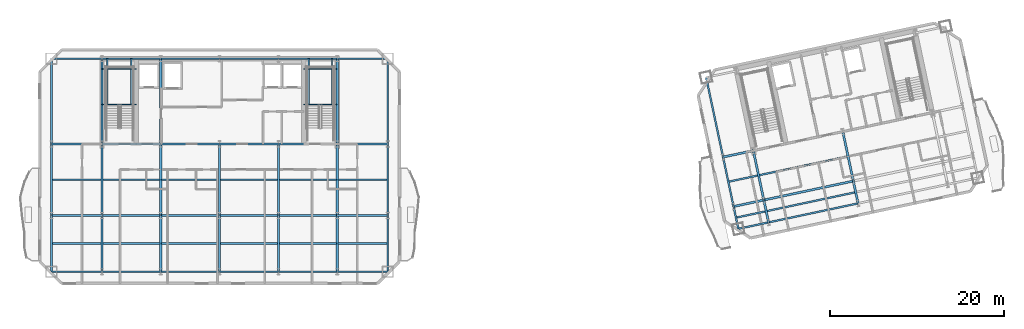
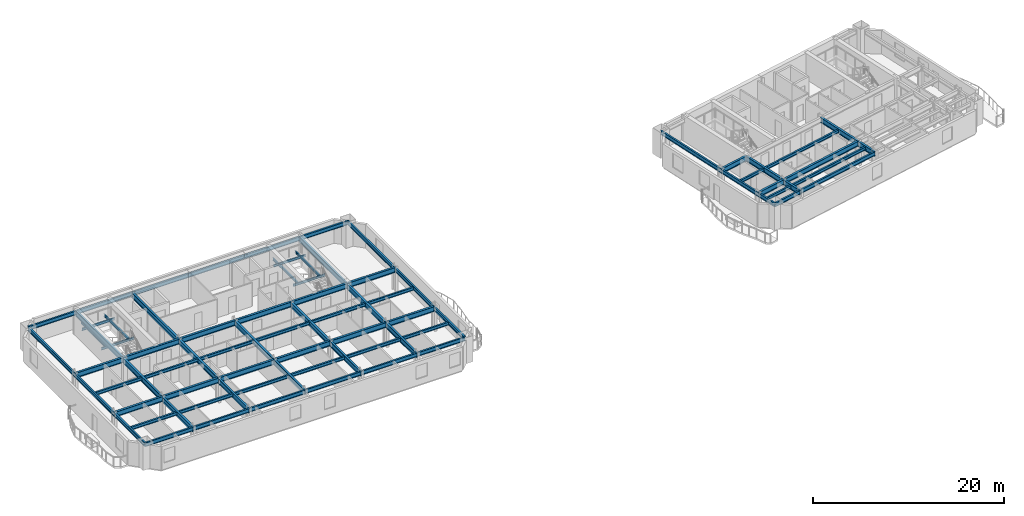
# One storey, part 3 of 13: 79 beams.
"""IFC4 building model written with IfcOpenShell, lengths in metres."""

from ifc_helpers import new_model, si_unit, direction, frame, origin, origin_2d, place, context, subcontext, project, spatial, i_section, extrude, material, material_profile, profile_set, type_object, element, save


model = new_model("IFC4")

# Units and contexts
model_context = context("Model", 3, precision=1e-05, world=origin(), true_north=direction((0.0, 1.0)))
body_context = subcontext(model_context, "Body", "Model", "MODEL_VIEW")
ifc_project = project(units=[si_unit("LENGTHUNIT", "METRE"), si_unit("AREAUNIT", "SQUARE_METRE"), si_unit("VOLUMEUNIT", "CUBIC_METRE"), si_unit("PLANEANGLEUNIT", "RADIAN"), si_unit("MASSUNIT", "GRAM", prefix="KILO")], contexts=[model_context])

# Site, building, storey
site_placement = place(None, origin())
site = spatial("IfcSite", under=ifc_project, at=site_placement, CompositionType="ELEMENT")
building_placement = place(site_placement, origin())
building = spatial("IfcBuilding", under=site, at=building_placement, Name="Haevon Station Towers", CompositionType="ELEMENT")
storey_placement = place(building_placement, frame((0.0, 0.0, 189.0)))
storey = spatial("IfcBuildingStorey", under=building, at=storey_placement, Name="L52", CompositionType="ELEMENT", Elevation=189.0)

# Beams
ifc_material = material(Name="Steel S355", Category="steel")
ifc_material_profile_1 = material_profile(ifc_material, i_section(OverallWidth=0.25, OverallDepth=0.64990234375, WebThickness=0.012939453125, FlangeThickness=0.02197265625, at=origin_2d()), Name="H-650x250x13x22")
ifc_profile_set_1 = profile_set([ifc_material_profile_1], Name="Steel S355")
beam_type_1 = type_object("IfcBeamType", Name="BM-G650", PredefinedType="BEAM", material=ifc_profile_set_1)
beam_1_placement = place(storey_placement, frame((18.199951171875, 30.0, 2.695068359375), z_axis=(1.0, 0.0, 0.0), x_axis=(0.0, 1.0, 0.0)))
element("IfcBeam", 1, at=beam_1_placement, inside=storey, type_object=beam_type_1, Name="BM-T1U-L52-02-01", PredefinedType="BEAM", context=body_context, shape_type="SweptSolid", body=[
    extrude(i_section(OverallWidth=0.25, OverallDepth=0.64990234375, WebThickness=0.012939453125, FlangeThickness=0.02197265625, at=origin_2d()), origin(), (0.0, 0.0, 1.0), 5.800048828125),
])
for number, where, z_axis, x_axis, name in (
    (2, (24.0, 30.0, 2.695068359375), (1.0, 0.0, 0.0), (0.0, 1.0, 0.0), "BM-T1U-L52-02-02"),
    (3, (30.75, 30.0, 2.695068359375), (1.0, 0.0, 0.0), (0.0, 1.0, 0.0), "BM-T1U-L52-02-03"),
    (4, (37.5, 30.0, 2.695068359375), (1.0, 0.0, 0.0), (0.0, 1.0, 0.0), "BM-T1U-L52-02-04"),
    (5, (44.25, 30.0, 2.695068359375), (1.0, 0.0, 0.0), (0.0, 1.0, 0.0), "BM-T1U-L52-02-05"),
):
    element("IfcBeam", number, at=place(storey_placement, frame(where, z_axis=z_axis, x_axis=x_axis)), inside=storey, type_object=beam_type_1, Name=name, PredefinedType="BEAM", context=body_context, shape_type="SweptSolid", body=[
        extrude(i_section(OverallWidth=0.25, OverallDepth=0.64990234375, WebThickness=0.012939453125, FlangeThickness=0.02197265625, at=origin_2d()), origin(), (0.0, 0.0, 1.0), 6.75),
    ])
for number, where, z_axis, x_axis, name in (
    (6, (51.0, 30.0, 2.695068359375), (1.0, 0.0, 0.0), (0.0, 1.0, 0.0), "BM-T1U-L52-02-06"),
    (7, (18.199951171875, 38.199951171875, 2.695068359375), (1.0, 0.0, 0.0), (0.0, 1.0, 0.0), "BM-T1U-L52-03-01"),
):
    element("IfcBeam", number, at=place(storey_placement, frame(where, z_axis=z_axis, x_axis=x_axis)), inside=storey, type_object=beam_type_1, Name=name, PredefinedType="BEAM", context=body_context, shape_type="SweptSolid", body=[
        extrude(i_section(OverallWidth=0.25, OverallDepth=0.64990234375, WebThickness=0.012939453125, FlangeThickness=0.02197265625, at=origin_2d()), origin(), (0.0, 0.0, 1.0), 5.800048828125),
    ])
for number, where, z_axis, x_axis, name in (
    (8, (24.0, 38.199951171875, 2.695068359375), (1.0, 0.0, 0.0), (0.0, 1.0, 0.0), "BM-T1U-L52-03-02"),
    (9, (30.75, 38.199951171875, 2.695068359375), (1.0, 0.0, 0.0), (0.0, 1.0, 0.0), "BM-T1U-L52-03-03"),
    (10, (37.5, 38.199951171875, 2.695068359375), (1.0, 0.0, 0.0), (0.0, 1.0, 0.0), "BM-T1U-L52-03-04"),
    (11, (44.25, 38.199951171875, 2.695068359375), (1.0, 0.0, 0.0), (0.0, 1.0, 0.0), "BM-T1U-L52-03-05"),
):
    element("IfcBeam", number, at=place(storey_placement, frame(where, z_axis=z_axis, x_axis=x_axis)), inside=storey, type_object=beam_type_1, Name=name, PredefinedType="BEAM", context=body_context, shape_type="SweptSolid", body=[
        extrude(i_section(OverallWidth=0.25, OverallDepth=0.64990234375, WebThickness=0.012939453125, FlangeThickness=0.02197265625, at=origin_2d()), origin(), (0.0, 0.0, 1.0), 6.75),
    ])
beam_2_placement = place(storey_placement, frame((51.0, 38.199951171875, 2.695068359375), z_axis=(1.0, 0.0, 0.0), x_axis=(0.0, 1.0, 0.0)))
element("IfcBeam", 12, at=beam_2_placement, inside=storey, type_object=beam_type_1, Name="BM-T1U-L52-03-06", PredefinedType="BEAM", context=body_context, shape_type="SweptSolid", body=[
    extrude(i_section(OverallWidth=0.25, OverallDepth=0.64990234375, WebThickness=0.012939453125, FlangeThickness=0.02197265625, at=origin_2d()), origin(), (0.0, 0.0, 1.0), 5.800048828125),
])
beam_3_placement = place(storey_placement, frame((24.0, 23.550048828125, 2.695068359375), z_axis=(0.0, 1.0, 0.0), x_axis=(-1.0, 0.0, 0.0)))
element("IfcBeam", 13, at=beam_3_placement, inside=storey, type_object=beam_type_1, Name="BM-T1V-L52-02-01", PredefinedType="BEAM", context=body_context, shape_type="SweptSolid", body=[
    extrude(i_section(OverallWidth=0.25, OverallDepth=0.64990234375, WebThickness=0.012939453125, FlangeThickness=0.02197265625, at=origin_2d()), origin(), (0.0, 0.0, 1.0), 6.449951171875),
])
beam_4_placement = place(storey_placement, frame((24.0, 30.0, 2.695068359375), z_axis=(0.0, 1.0, 0.0), x_axis=(-1.0, 0.0, 0.0)))
element("IfcBeam", 14, at=beam_4_placement, inside=storey, type_object=beam_type_1, Name="BM-T1V-L52-02-02", PredefinedType="BEAM", context=body_context, shape_type="SweptSolid", body=[
    extrude(i_section(OverallWidth=0.25, OverallDepth=0.64990234375, WebThickness=0.012939453125, FlangeThickness=0.02197265625, at=origin_2d()), origin(), (0.0, 0.0, 1.0), 8.199951171875),
])
beam_5_placement = place(storey_placement, frame((24.0, 38.199951171875, 2.695068359375), z_axis=(0.0, 1.0, 0.0), x_axis=(-1.0, 0.0, 0.0)))
element("IfcBeam", 15, at=beam_5_placement, inside=storey, type_object=beam_type_1, Name="BM-T1V-L52-02-03", PredefinedType="BEAM", context=body_context, shape_type="SweptSolid", body=[
    extrude(i_section(OverallWidth=0.25, OverallDepth=0.64990234375, WebThickness=0.012939453125, FlangeThickness=0.02197265625, at=origin_2d()), origin(), (0.0, 0.0, 1.0), 9.800048828125),
])
beam_6_placement = place(storey_placement, frame((30.75, 23.550048828125, 2.695068359375), z_axis=(0.0, 1.0, 0.0), x_axis=(-1.0, 0.0, 0.0)))
element("IfcBeam", 16, at=beam_6_placement, inside=storey, type_object=beam_type_1, Name="BM-T1V-L52-03-01", PredefinedType="BEAM", context=body_context, shape_type="SweptSolid", body=[
    extrude(i_section(OverallWidth=0.25, OverallDepth=0.64990234375, WebThickness=0.012939453125, FlangeThickness=0.02197265625, at=origin_2d()), origin(), (0.0, 0.0, 1.0), 6.449951171875),
])
beam_7_placement = place(storey_placement, frame((30.75, 30.0, 2.695068359375), z_axis=(0.0, 1.0, 0.0), x_axis=(-1.0, 0.0, 0.0)))
element("IfcBeam", 17, at=beam_7_placement, inside=storey, type_object=beam_type_1, Name="BM-T1V-L52-03-02", PredefinedType="BEAM", context=body_context, shape_type="SweptSolid", body=[
    extrude(i_section(OverallWidth=0.25, OverallDepth=0.64990234375, WebThickness=0.012939453125, FlangeThickness=0.02197265625, at=origin_2d()), origin(), (0.0, 0.0, 1.0), 8.199951171875),
])
beam_8_placement = place(storey_placement, frame((30.75, 38.199951171875, 2.695068359375), z_axis=(0.0, 1.0, 0.0), x_axis=(-1.0, 0.0, 0.0)))
element("IfcBeam", 18, at=beam_8_placement, inside=storey, type_object=beam_type_1, Name="BM-T1V-L52-03-03", PredefinedType="BEAM", context=body_context, shape_type="SweptSolid", body=[
    extrude(i_section(OverallWidth=0.25, OverallDepth=0.64990234375, WebThickness=0.012939453125, FlangeThickness=0.02197265625, at=origin_2d()), origin(), (0.0, 0.0, 1.0), 9.800048828125),
])
beam_9_placement = place(storey_placement, frame((37.5, 23.550048828125, 2.695068359375), z_axis=(0.0, 1.0, 0.0), x_axis=(-1.0, 0.0, 0.0)))
element("IfcBeam", 19, at=beam_9_placement, inside=storey, type_object=beam_type_1, Name="BM-T1V-L52-04-01", PredefinedType="BEAM", context=body_context, shape_type="SweptSolid", body=[
    extrude(i_section(OverallWidth=0.25, OverallDepth=0.64990234375, WebThickness=0.012939453125, FlangeThickness=0.02197265625, at=origin_2d()), origin(), (0.0, 0.0, 1.0), 6.449951171875),
])
beam_10_placement = place(storey_placement, frame((37.5, 30.0, 2.695068359375), z_axis=(0.0, 1.0, 0.0), x_axis=(-1.0, 0.0, 0.0)))
element("IfcBeam", 20, at=beam_10_placement, inside=storey, type_object=beam_type_1, Name="BM-T1V-L52-04-02", PredefinedType="BEAM", context=body_context, shape_type="SweptSolid", body=[
    extrude(i_section(OverallWidth=0.25, OverallDepth=0.64990234375, WebThickness=0.012939453125, FlangeThickness=0.02197265625, at=origin_2d()), origin(), (0.0, 0.0, 1.0), 8.199951171875),
])
beam_11_placement = place(storey_placement, frame((44.25, 23.550048828125, 2.695068359375), z_axis=(0.0, 1.0, 0.0), x_axis=(-1.0, 0.0, 0.0)))
element("IfcBeam", 21, at=beam_11_placement, inside=storey, type_object=beam_type_1, Name="BM-T1V-L52-05-01", PredefinedType="BEAM", context=body_context, shape_type="SweptSolid", body=[
    extrude(i_section(OverallWidth=0.25, OverallDepth=0.64990234375, WebThickness=0.012939453125, FlangeThickness=0.02197265625, at=origin_2d()), origin(), (0.0, 0.0, 1.0), 6.449951171875),
])
beam_12_placement = place(storey_placement, frame((44.25, 30.0, 2.695068359375), z_axis=(0.0, 1.0, 0.0), x_axis=(-1.0, 0.0, 0.0)))
element("IfcBeam", 22, at=beam_12_placement, inside=storey, type_object=beam_type_1, Name="BM-T1V-L52-05-02", PredefinedType="BEAM", context=body_context, shape_type="SweptSolid", body=[
    extrude(i_section(OverallWidth=0.25, OverallDepth=0.64990234375, WebThickness=0.012939453125, FlangeThickness=0.02197265625, at=origin_2d()), origin(), (0.0, 0.0, 1.0), 8.199951171875),
])
beam_13_placement = place(storey_placement, frame((51.0, 23.550048828125, 2.695068359375), z_axis=(0.0, 1.0, 0.0), x_axis=(-1.0, 0.0, 0.0)))
element("IfcBeam", 23, at=beam_13_placement, inside=storey, type_object=beam_type_1, Name="BM-T1V-L52-06-01", PredefinedType="BEAM", context=body_context, shape_type="SweptSolid", body=[
    extrude(i_section(OverallWidth=0.25, OverallDepth=0.64990234375, WebThickness=0.012939453125, FlangeThickness=0.02197265625, at=origin_2d()), origin(), (0.0, 0.0, 1.0), 6.449951171875),
])
beam_14_placement = place(storey_placement, frame((51.0, 30.0, 2.695068359375), z_axis=(0.0, 1.0, 0.0), x_axis=(-1.0, 0.0, 0.0)))
element("IfcBeam", 24, at=beam_14_placement, inside=storey, type_object=beam_type_1, Name="BM-T1V-L52-06-02", PredefinedType="BEAM", context=body_context, shape_type="SweptSolid", body=[
    extrude(i_section(OverallWidth=0.25, OverallDepth=0.64990234375, WebThickness=0.012939453125, FlangeThickness=0.02197265625, at=origin_2d()), origin(), (0.0, 0.0, 1.0), 8.199951171875),
])
beam_15_placement = place(storey_placement, frame((51.0, 38.199951171875, 2.695068359375), z_axis=(0.0, 1.0, 0.0), x_axis=(-1.0, 0.0, 0.0)))
element("IfcBeam", 25, at=beam_15_placement, inside=storey, type_object=beam_type_1, Name="BM-T1V-L52-06-03", PredefinedType="BEAM", context=body_context, shape_type="SweptSolid", body=[
    extrude(i_section(OverallWidth=0.25, OverallDepth=0.64990234375, WebThickness=0.012939453125, FlangeThickness=0.02197265625, at=origin_2d()), origin(), (0.0, 0.0, 1.0), 9.800048828125),
])
beam_16_placement = place(storey_placement, frame((96.48583984375, 31.031005859375, 2.695068359375), z_axis=(0.978150285663, 0.207899058817, 0.0), x_axis=(-0.207899058817, 0.978150285663, 0.0)))
element("IfcBeam", 26, at=beam_16_placement, inside=storey, type_object=beam_type_1, Name="BM-T2U-L52-02-01", PredefinedType="BEAM", context=body_context, shape_type="SweptSolid", body=[
    extrude(i_section(OverallWidth=0.25, OverallDepth=0.64990234375, WebThickness=0.012939453125, FlangeThickness=0.02197265625, at=origin_2d()), origin(), (0.0, 0.0, 1.0), 3.550048828125),
])
beam_17_placement = place(storey_placement, frame((99.958251953125, 31.76904296875, 2.695068359375), z_axis=(0.978146794194, 0.207915485254, 0.0), x_axis=(-0.207915485254, 0.978146794194, 0.0)))
element("IfcBeam", 27, at=beam_17_placement, inside=storey, type_object=beam_type_1, Name="BM-T2U-L52-02-02", PredefinedType="BEAM", context=body_context, shape_type="SweptSolid", body=[
    extrude(i_section(OverallWidth=0.25, OverallDepth=0.64990234375, WebThickness=0.012939453125, FlangeThickness=0.02197265625, at=origin_2d()), origin(), (0.0, 0.0, 1.0), 10.5),
])
beam_18_placement = place(storey_placement, frame((95.280029296875, 36.704345703125, 2.695068359375), z_axis=(0.978150285663, 0.207899058817, 0.0), x_axis=(-0.207899058817, 0.978150285663, 0.0)))
element("IfcBeam", 28, at=beam_18_placement, inside=storey, type_object=beam_type_1, Name="BM-T2U-L52-03-01", PredefinedType="BEAM", context=body_context, shape_type="SweptSolid", body=[
    extrude(i_section(OverallWidth=0.25, OverallDepth=0.64990234375, WebThickness=0.012939453125, FlangeThickness=0.02197265625, at=origin_2d()), origin(), (0.0, 0.0, 1.0), 3.550048828125),
])
beam_19_placement = place(storey_placement, frame((100.5029296875, 29.206298828125, 2.695068359375), z_axis=(-0.207893304367, 0.978151508714, 0.0), x_axis=(-0.978151508714, -0.207893304367, 0.0)))
element("IfcBeam", 29, at=beam_19_placement, inside=storey, type_object=beam_type_1, Name="BM-T2V-L52-02-01", PredefinedType="BEAM", context=body_context, shape_type="SweptSolid", body=[
    extrude(i_section(OverallWidth=0.25, OverallDepth=0.64990234375, WebThickness=0.012939453125, FlangeThickness=0.02197265625, at=origin_2d()), origin(), (0.0, 0.0, 1.0), 2.619873046875),
])
beam_20_placement = place(storey_placement, frame((99.958251953125, 31.76904296875, 2.695068359375), z_axis=(-0.207896009217, 0.97815093383, 0.0), x_axis=(-0.97815093383, -0.207896009217, 0.0)))
element("IfcBeam", 30, at=beam_20_placement, inside=storey, type_object=beam_type_1, Name="BM-T2V-L52-02-02", PredefinedType="BEAM", context=body_context, shape_type="SweptSolid", body=[
    extrude(i_section(OverallWidth=0.25, OverallDepth=0.64990234375, WebThickness=0.012939453125, FlangeThickness=0.02197265625, at=origin_2d()), origin(), (0.0, 0.0, 1.0), 5.800048828125),
])
beam_21_placement = place(storey_placement, frame((110.7734375, 31.389404296875, 2.695068359375), z_axis=(-0.207893304367, 0.978151508714, 0.0), x_axis=(-0.978151508714, -0.207893304367, 0.0)))
element("IfcBeam", 31, at=beam_21_placement, inside=storey, type_object=beam_type_1, Name="BM-T2V-L52-03-01", PredefinedType="BEAM", context=body_context, shape_type="SweptSolid", body=[
    extrude(i_section(OverallWidth=0.25, OverallDepth=0.64990234375, WebThickness=0.012939453125, FlangeThickness=0.02197265625, at=origin_2d()), origin(), (0.0, 0.0, 1.0), 2.619873046875),
])
beam_22_placement = place(storey_placement, frame((110.228759765625, 33.9521484375, 2.695068359375), z_axis=(-0.207896009217, 0.97815093383, 0.0), x_axis=(-0.97815093383, -0.207896009217, 0.0)))
element("IfcBeam", 32, at=beam_22_placement, inside=storey, type_object=beam_type_1, Name="BM-T2V-L52-03-02", PredefinedType="BEAM", context=body_context, shape_type="SweptSolid", body=[
    extrude(i_section(OverallWidth=0.25, OverallDepth=0.64990234375, WebThickness=0.012939453125, FlangeThickness=0.02197265625, at=origin_2d()), origin(), (0.0, 0.0, 1.0), 5.800048828125),
])
ifc_material_profile_2 = material_profile(ifc_material, i_section(OverallWidth=0.199951171875, OverallDepth=0.39990234375, WebThickness=0.008056640625, FlangeThickness=0.012939453125, at=origin_2d()), Name="H-400x200x8x13")
ifc_profile_set_2 = profile_set([ifc_material_profile_2], Name="Steel S355")
beam_type_2 = type_object("IfcBeamType", Name="BM-J400", PredefinedType="JOIST", material=ifc_profile_set_2)
beam_23_placement = place(storey_placement, frame((18.31005859375, 26.77490234375, 2.820068359375), z_axis=(1.0, 0.0, 0.0), x_axis=(0.0, 1.0, 0.0)))
element("IfcBeam", 33, at=beam_23_placement, inside=storey, type_object=beam_type_2, Name="BM-T1J-L52-01-01", PredefinedType="JOIST", context=body_context, shape_type="SweptSolid", body=[
    extrude(i_section(OverallWidth=0.199951171875, OverallDepth=0.39990234375, WebThickness=0.008056640625, FlangeThickness=0.012939453125, at=origin_2d()), origin(), (0.0, 0.0, 1.0), 5.579833984375),
])
for number, where, z_axis, x_axis, name in (
    (34, (24.110107421875, 26.77490234375, 2.820068359375), (1.0, 0.0, 0.0), (0.0, 1.0, 0.0), "BM-T1J-L52-01-02"),
    (35, (30.860107421875, 26.77490234375, 2.820068359375), (1.0, 0.0, 0.0), (0.0, 1.0, 0.0), "BM-T1J-L52-01-03"),
    (36, (37.610107421875, 26.77490234375, 2.820068359375), (1.0, 0.0, 0.0), (0.0, 1.0, 0.0), "BM-T1J-L52-01-04"),
    (37, (44.360107421875, 26.77490234375, 2.820068359375), (1.0, 0.0, 0.0), (0.0, 1.0, 0.0), "BM-T1J-L52-01-05"),
):
    element("IfcBeam", number, at=place(storey_placement, frame(where, z_axis=z_axis, x_axis=x_axis)), inside=storey, type_object=beam_type_2, Name=name, PredefinedType="JOIST", context=body_context, shape_type="SweptSolid", body=[
        extrude(i_section(OverallWidth=0.199951171875, OverallDepth=0.39990234375, WebThickness=0.008056640625, FlangeThickness=0.012939453125, at=origin_2d()), origin(), (0.0, 0.0, 1.0), 6.52978515625),
    ])
for number, where, z_axis, x_axis, name in (
    (38, (51.110107421875, 26.77490234375, 2.820068359375), (1.0, 0.0, 0.0), (0.0, 1.0, 0.0), "BM-T1J-L52-01-06"),
    (39, (18.31005859375, 34.10009765625, 2.820068359375), (1.0, 0.0, 0.0), (0.0, 1.0, 0.0), "BM-T1J-L52-02-01"),
):
    element("IfcBeam", number, at=place(storey_placement, frame(where, z_axis=z_axis, x_axis=x_axis)), inside=storey, type_object=beam_type_2, Name=name, PredefinedType="JOIST", context=body_context, shape_type="SweptSolid", body=[
        extrude(i_section(OverallWidth=0.199951171875, OverallDepth=0.39990234375, WebThickness=0.008056640625, FlangeThickness=0.012939453125, at=origin_2d()), origin(), (0.0, 0.0, 1.0), 5.579833984375),
    ])
for number, where, z_axis, x_axis, name in (
    (40, (24.110107421875, 34.10009765625, 2.820068359375), (1.0, 0.0, 0.0), (0.0, 1.0, 0.0), "BM-T1J-L52-02-02"),
    (41, (30.860107421875, 34.10009765625, 2.820068359375), (1.0, 0.0, 0.0), (0.0, 1.0, 0.0), "BM-T1J-L52-02-03"),
    (42, (37.610107421875, 34.10009765625, 2.820068359375), (1.0, 0.0, 0.0), (0.0, 1.0, 0.0), "BM-T1J-L52-02-04"),
    (43, (44.360107421875, 34.10009765625, 2.820068359375), (1.0, 0.0, 0.0), (0.0, 1.0, 0.0), "BM-T1J-L52-02-05"),
):
    element("IfcBeam", number, at=place(storey_placement, frame(where, z_axis=z_axis, x_axis=x_axis)), inside=storey, type_object=beam_type_2, Name=name, PredefinedType="JOIST", context=body_context, shape_type="SweptSolid", body=[
        extrude(i_section(OverallWidth=0.199951171875, OverallDepth=0.39990234375, WebThickness=0.008056640625, FlangeThickness=0.012939453125, at=origin_2d()), origin(), (0.0, 0.0, 1.0), 6.52978515625),
    ])
beam_24_placement = place(storey_placement, frame((51.110107421875, 34.10009765625, 2.820068359375), z_axis=(1.0, 0.0, 0.0), x_axis=(0.0, 1.0, 0.0)))
element("IfcBeam", 44, at=beam_24_placement, inside=storey, type_object=beam_type_2, Name="BM-T1J-L52-02-06", PredefinedType="JOIST", context=body_context, shape_type="SweptSolid", body=[
    extrude(i_section(OverallWidth=0.199951171875, OverallDepth=0.39990234375, WebThickness=0.008056640625, FlangeThickness=0.012939453125, at=origin_2d()), origin(), (0.0, 0.0, 1.0), 5.579833984375),
])
beam_25_placement = place(storey_placement, frame((96.86572265625, 29.7724609375, 2.820068359375), z_axis=(0.978146551768, 0.207916625754, 0.0), x_axis=(-0.207916625754, 0.978146551768, 0.0)))
element("IfcBeam", 45, at=beam_25_placement, inside=storey, type_object=beam_type_2, Name="BM-T2J-L52-01-01", PredefinedType="JOIST", context=body_context, shape_type="SweptSolid", body=[
    extrude(i_section(OverallWidth=0.199951171875, OverallDepth=0.39990234375, WebThickness=0.008056640625, FlangeThickness=0.012939453125, at=origin_2d()), origin(), (0.0, 0.0, 1.0), 3.330078125),
])
beam_26_placement = place(storey_placement, frame((100.338134765625, 30.5107421875, 2.820068359375), z_axis=(0.978150339653, 0.207898804801, 0.0), x_axis=(-0.207898804801, 0.978150339653, 0.0)))
element("IfcBeam", 46, at=beam_26_placement, inside=storey, type_object=beam_type_2, Name="BM-T2J-L52-01-02", PredefinedType="JOIST", context=body_context, shape_type="SweptSolid", body=[
    extrude(i_section(OverallWidth=0.199951171875, OverallDepth=0.39990234375, WebThickness=0.008056640625, FlangeThickness=0.012939453125, at=origin_2d()), origin(), (0.0, 0.0, 1.0), 10.280029296875),
])
beam_27_placement = place(storey_placement, frame((95.990478515625, 33.890625, 2.820068359375), z_axis=(0.978146551768, 0.207916625754, 0.0), x_axis=(-0.207916625754, 0.978146551768, 0.0)))
element("IfcBeam", 47, at=beam_27_placement, inside=storey, type_object=beam_type_2, Name="BM-T2J-L52-02-01", PredefinedType="JOIST", context=body_context, shape_type="SweptSolid", body=[
    extrude(i_section(OverallWidth=0.199951171875, OverallDepth=0.39990234375, WebThickness=0.008056640625, FlangeThickness=0.012939453125, at=origin_2d()), origin(), (0.0, 0.0, 1.0), 3.330078125),
])
beam_28_placement = place(storey_placement, frame((99.462890625, 34.628662109375, 2.820068359375), z_axis=(0.978150339653, 0.207898804801, 0.0), x_axis=(-0.207898804801, 0.978150339653, 0.0)))
element("IfcBeam", 48, at=beam_28_placement, inside=storey, type_object=beam_type_2, Name="BM-T2J-L52-02-02", PredefinedType="JOIST", context=body_context, shape_type="SweptSolid", body=[
    extrude(i_section(OverallWidth=0.199951171875, OverallDepth=0.39990234375, WebThickness=0.008056640625, FlangeThickness=0.012939453125, at=origin_2d()), origin(), (0.0, 0.0, 1.0), 10.280029296875),
])
ifc_material_profile_3 = material_profile(ifc_material, i_section(OverallWidth=0.14990234375, OverallDepth=0.300048828125, WebThickness=0.006591796875, FlangeThickness=0.009033203125, at=origin_2d()), Name="H-300x150x6.5x9")
ifc_profile_set_3 = profile_set([ifc_material_profile_3], Name="Steel S355")
beam_type_3 = type_object("IfcBeamType", Name="BM-LIN300", PredefinedType="LINTEL", material=ifc_profile_set_3)
for number, where, z_axis, x_axis, name in (
    (49, (24.0, 42.743896484375, 1.300048828125), (1.0, 0.0, 0.0), (0.0, 1.0, 0.0), "BM-ST1L-L52-1-S"),
    (50, (24.0, 46.820068359375, 1.300048828125), (1.0, 0.0, 0.0), (0.0, 1.0, 0.0), "BM-ST1L-L52-1-N"),
):
    element("IfcBeam", number, at=place(storey_placement, frame(where, z_axis=z_axis, x_axis=x_axis)), inside=storey, type_object=beam_type_3, Name=name, PredefinedType="LINTEL", context=body_context, shape_type="SweptSolid", body=[
        extrude(i_section(OverallWidth=0.14990234375, OverallDepth=0.300048828125, WebThickness=0.006591796875, FlangeThickness=0.009033203125, at=origin_2d()), origin(), (0.0, 0.0, 1.0), 3.949951171875),
    ])
for number, where, z_axis, x_axis, name in (
    (51, (24.60009765625, 42.743896484375, 1.300048828125), (0.0, 1.0, 0.0), (-1.0, 0.0, 0.0), "BM-ST1L-L52-1-W"),
    (52, (27.35009765625, 42.743896484375, 1.300048828125), (0.0, 1.0, 0.0), (-1.0, 0.0, 0.0), "BM-ST1L-L52-1-E"),
):
    element("IfcBeam", number, at=place(storey_placement, frame(where, z_axis=z_axis, x_axis=x_axis)), inside=storey, type_object=beam_type_3, Name=name, PredefinedType="LINTEL", context=body_context, shape_type="SweptSolid", body=[
        extrude(i_section(OverallWidth=0.14990234375, OverallDepth=0.300048828125, WebThickness=0.006591796875, FlangeThickness=0.009033203125, at=origin_2d()), origin(), (0.0, 0.0, 1.0), 5.256103515625),
    ])
for number, where, z_axis, x_axis, name in (
    (53, (47.14990234375, 42.743896484375, 1.300048828125), (1.0, 0.0, 0.0), (0.0, 1.0, 0.0), "BM-ST2L-L52-1-S"),
    (54, (47.14990234375, 46.820068359375, 1.300048828125), (1.0, 0.0, 0.0), (0.0, 1.0, 0.0), "BM-ST2L-L52-1-N"),
):
    element("IfcBeam", number, at=place(storey_placement, frame(where, z_axis=z_axis, x_axis=x_axis)), inside=storey, type_object=beam_type_3, Name=name, PredefinedType="LINTEL", context=body_context, shape_type="SweptSolid", body=[
        extrude(i_section(OverallWidth=0.14990234375, OverallDepth=0.300048828125, WebThickness=0.006591796875, FlangeThickness=0.009033203125, at=origin_2d()), origin(), (0.0, 0.0, 1.0), 3.85009765625),
    ])
for number, where, z_axis, x_axis, name in (
    (55, (47.75, 42.743896484375, 1.300048828125), (0.0, 1.0, 0.0), (-1.0, 0.0, 0.0), "BM-ST2L-L52-1-W"),
    (56, (50.39990234375, 42.743896484375, 1.300048828125), (0.0, 1.0, 0.0), (-1.0, 0.0, 0.0), "BM-ST2L-L52-1-E"),
):
    element("IfcBeam", number, at=place(storey_placement, frame(where, z_axis=z_axis, x_axis=x_axis)), inside=storey, type_object=beam_type_3, Name=name, PredefinedType="LINTEL", context=body_context, shape_type="SweptSolid", body=[
        extrude(i_section(OverallWidth=0.14990234375, OverallDepth=0.300048828125, WebThickness=0.006591796875, FlangeThickness=0.009033203125, at=origin_2d()), origin(), (0.0, 0.0, 1.0), 5.256103515625),
    ])
ifc_material_profile_4 = material_profile(ifc_material, i_section(OverallWidth=0.199951171875, OverallDepth=0.5, WebThickness=0.010009765625, FlangeThickness=0.01611328125, at=origin_2d()), Name="H-500x200x10x16")
ifc_profile_set_4 = profile_set([ifc_material_profile_4], Name="Steel S355")
beam_type_4 = type_object("IfcBeamType", Name="BM-SP500", PredefinedType="SPANDREL", material=ifc_profile_set_4)
beam_29_placement = place(storey_placement, frame((18.199951171875, 23.550048828125, 2.77001953125), z_axis=(1.0, 0.0, 0.0), x_axis=(0.0, 1.0, 0.0)))
element("IfcBeam", 57, at=beam_29_placement, inside=storey, type_object=beam_type_4, Name="BM-T1U-L52-01-01", PredefinedType="SPANDREL", context=body_context, shape_type="SweptSolid", body=[
    extrude(i_section(OverallWidth=0.199951171875, OverallDepth=0.5, WebThickness=0.010009765625, FlangeThickness=0.01611328125, at=origin_2d()), origin(), (0.0, 0.0, 1.0), 5.800048828125),
])
for number, where, z_axis, x_axis, name in (
    (58, (24.0, 23.550048828125, 2.77001953125), (1.0, 0.0, 0.0), (0.0, 1.0, 0.0), "BM-T1U-L52-01-02"),
    (59, (30.75, 23.550048828125, 2.77001953125), (1.0, 0.0, 0.0), (0.0, 1.0, 0.0), "BM-T1U-L52-01-03"),
    (60, (37.5, 23.550048828125, 2.77001953125), (1.0, 0.0, 0.0), (0.0, 1.0, 0.0), "BM-T1U-L52-01-04"),
    (61, (44.25, 23.550048828125, 2.77001953125), (1.0, 0.0, 0.0), (0.0, 1.0, 0.0), "BM-T1U-L52-01-05"),
):
    element("IfcBeam", number, at=place(storey_placement, frame(where, z_axis=z_axis, x_axis=x_axis)), inside=storey, type_object=beam_type_4, Name=name, PredefinedType="SPANDREL", context=body_context, shape_type="SweptSolid", body=[
        extrude(i_section(OverallWidth=0.199951171875, OverallDepth=0.5, WebThickness=0.010009765625, FlangeThickness=0.01611328125, at=origin_2d()), origin(), (0.0, 0.0, 1.0), 6.75),
    ])
for number, where, z_axis, x_axis, name in (
    (62, (51.0, 23.550048828125, 2.77001953125), (1.0, 0.0, 0.0), (0.0, 1.0, 0.0), "BM-T1U-L52-01-06"),
    (63, (18.199951171875, 48.0, 2.77001953125), (1.0, 0.0, 0.0), (0.0, 1.0, 0.0), "BM-T1U-L52-04-01"),
):
    element("IfcBeam", number, at=place(storey_placement, frame(where, z_axis=z_axis, x_axis=x_axis)), inside=storey, type_object=beam_type_4, Name=name, PredefinedType="SPANDREL", context=body_context, shape_type="SweptSolid", body=[
        extrude(i_section(OverallWidth=0.199951171875, OverallDepth=0.5, WebThickness=0.010009765625, FlangeThickness=0.01611328125, at=origin_2d()), origin(), (0.0, 0.0, 1.0), 5.800048828125),
    ])
for number, where, z_axis, x_axis, name in (
    (64, (24.0, 48.0, 2.77001953125), (1.0, 0.0, 0.0), (0.0, 1.0, 0.0), "BM-T1U-L52-04-02"),
    (65, (30.75, 48.0, 2.77001953125), (1.0, 0.0, 0.0), (0.0, 1.0, 0.0), "BM-T1U-L52-04-03"),
    (66, (37.5, 48.0, 2.77001953125), (1.0, 0.0, 0.0), (0.0, 1.0, 0.0), "BM-T1U-L52-04-04"),
    (67, (44.25, 48.0, 2.77001953125), (1.0, 0.0, 0.0), (0.0, 1.0, 0.0), "BM-T1U-L52-04-05"),
):
    element("IfcBeam", number, at=place(storey_placement, frame(where, z_axis=z_axis, x_axis=x_axis)), inside=storey, type_object=beam_type_4, Name=name, PredefinedType="SPANDREL", context=body_context, shape_type="SweptSolid", body=[
        extrude(i_section(OverallWidth=0.199951171875, OverallDepth=0.5, WebThickness=0.010009765625, FlangeThickness=0.01611328125, at=origin_2d()), origin(), (0.0, 0.0, 1.0), 6.75),
    ])
beam_30_placement = place(storey_placement, frame((51.0, 48.0, 2.77001953125), z_axis=(1.0, 0.0, 0.0), x_axis=(0.0, 1.0, 0.0)))
element("IfcBeam", 68, at=beam_30_placement, inside=storey, type_object=beam_type_4, Name="BM-T1U-L52-04-06", PredefinedType="SPANDREL", context=body_context, shape_type="SweptSolid", body=[
    extrude(i_section(OverallWidth=0.199951171875, OverallDepth=0.5, WebThickness=0.010009765625, FlangeThickness=0.01611328125, at=origin_2d()), origin(), (0.0, 0.0, 1.0), 5.800048828125),
])
beam_31_placement = place(storey_placement, frame((18.199951171875, 23.550048828125, 2.77001953125), z_axis=(0.0, 1.0, 0.0), x_axis=(-1.0, 0.0, 0.0)))
element("IfcBeam", 69, at=beam_31_placement, inside=storey, type_object=beam_type_4, Name="BM-T1V-L52-01-01", PredefinedType="SPANDREL", context=body_context, shape_type="SweptSolid", body=[
    extrude(i_section(OverallWidth=0.199951171875, OverallDepth=0.5, WebThickness=0.010009765625, FlangeThickness=0.01611328125, at=origin_2d()), origin(), (0.0, 0.0, 1.0), 6.449951171875),
])
beam_32_placement = place(storey_placement, frame((18.199951171875, 30.0, 2.77001953125), z_axis=(0.0, 1.0, 0.0), x_axis=(-1.0, 0.0, 0.0)))
element("IfcBeam", 70, at=beam_32_placement, inside=storey, type_object=beam_type_4, Name="BM-T1V-L52-01-02", PredefinedType="SPANDREL", context=body_context, shape_type="SweptSolid", body=[
    extrude(i_section(OverallWidth=0.199951171875, OverallDepth=0.5, WebThickness=0.010009765625, FlangeThickness=0.01611328125, at=origin_2d()), origin(), (0.0, 0.0, 1.0), 8.199951171875),
])
beam_33_placement = place(storey_placement, frame((18.199951171875, 38.199951171875, 2.77001953125), z_axis=(0.0, 1.0, 0.0), x_axis=(-1.0, 0.0, 0.0)))
element("IfcBeam", 71, at=beam_33_placement, inside=storey, type_object=beam_type_4, Name="BM-T1V-L52-01-03", PredefinedType="SPANDREL", context=body_context, shape_type="SweptSolid", body=[
    extrude(i_section(OverallWidth=0.199951171875, OverallDepth=0.5, WebThickness=0.010009765625, FlangeThickness=0.01611328125, at=origin_2d()), origin(), (0.0, 0.0, 1.0), 9.800048828125),
])
beam_34_placement = place(storey_placement, frame((56.800048828125, 23.550048828125, 2.77001953125), z_axis=(0.0, 1.0, 0.0), x_axis=(-1.0, 0.0, 0.0)))
element("IfcBeam", 72, at=beam_34_placement, inside=storey, type_object=beam_type_4, Name="BM-T1V-L52-07-01", PredefinedType="SPANDREL", context=body_context, shape_type="SweptSolid", body=[
    extrude(i_section(OverallWidth=0.199951171875, OverallDepth=0.5, WebThickness=0.010009765625, FlangeThickness=0.01611328125, at=origin_2d()), origin(), (0.0, 0.0, 1.0), 6.449951171875),
])
beam_35_placement = place(storey_placement, frame((56.800048828125, 30.0, 2.77001953125), z_axis=(0.0, 1.0, 0.0), x_axis=(-1.0, 0.0, 0.0)))
element("IfcBeam", 73, at=beam_35_placement, inside=storey, type_object=beam_type_4, Name="BM-T1V-L52-07-02", PredefinedType="SPANDREL", context=body_context, shape_type="SweptSolid", body=[
    extrude(i_section(OverallWidth=0.199951171875, OverallDepth=0.5, WebThickness=0.010009765625, FlangeThickness=0.01611328125, at=origin_2d()), origin(), (0.0, 0.0, 1.0), 8.199951171875),
])
beam_36_placement = place(storey_placement, frame((56.800048828125, 38.199951171875, 2.77001953125), z_axis=(0.0, 1.0, 0.0), x_axis=(-1.0, 0.0, 0.0)))
element("IfcBeam", 74, at=beam_36_placement, inside=storey, type_object=beam_type_4, Name="BM-T1V-L52-07-03", PredefinedType="SPANDREL", context=body_context, shape_type="SweptSolid", body=[
    extrude(i_section(OverallWidth=0.199951171875, OverallDepth=0.5, WebThickness=0.010009765625, FlangeThickness=0.01611328125, at=origin_2d()), origin(), (0.0, 0.0, 1.0), 9.800048828125),
])
beam_37_placement = place(storey_placement, frame((97.030517578125, 28.46826171875, 2.77001953125), z_axis=(0.978150285663, 0.207899058817, 0.0), x_axis=(-0.207899058817, 0.978150285663, 0.0)))
element("IfcBeam", 75, at=beam_37_placement, inside=storey, type_object=beam_type_4, Name="BM-T2U-L52-01-01", PredefinedType="SPANDREL", context=body_context, shape_type="SweptSolid", body=[
    extrude(i_section(OverallWidth=0.199951171875, OverallDepth=0.5, WebThickness=0.010009765625, FlangeThickness=0.01611328125, at=origin_2d()), origin(), (0.0, 0.0, 1.0), 3.550048828125),
])
beam_38_placement = place(storey_placement, frame((100.5029296875, 29.206298828125, 2.77001953125), z_axis=(0.978146794194, 0.207915485254, 0.0), x_axis=(-0.207915485254, 0.978146794194, 0.0)))
element("IfcBeam", 76, at=beam_38_placement, inside=storey, type_object=beam_type_4, Name="BM-T2U-L52-01-02", PredefinedType="SPANDREL", context=body_context, shape_type="SweptSolid", body=[
    extrude(i_section(OverallWidth=0.199951171875, OverallDepth=0.5, WebThickness=0.010009765625, FlangeThickness=0.01611328125, at=origin_2d()), origin(), (0.0, 0.0, 1.0), 10.5),
])
beam_39_placement = place(storey_placement, frame((97.030517578125, 28.46826171875, 2.77001953125), z_axis=(-0.207893304367, 0.978151508714, 0.0), x_axis=(-0.978151508714, -0.207893304367, 0.0)))
element("IfcBeam", 77, at=beam_39_placement, inside=storey, type_object=beam_type_4, Name="BM-T2V-L52-01-01", PredefinedType="SPANDREL", context=body_context, shape_type="SweptSolid", body=[
    extrude(i_section(OverallWidth=0.199951171875, OverallDepth=0.5, WebThickness=0.010009765625, FlangeThickness=0.01611328125, at=origin_2d()), origin(), (0.0, 0.0, 1.0), 2.619873046875),
])
beam_40_placement = place(storey_placement, frame((96.48583984375, 31.031005859375, 2.77001953125), z_axis=(-0.207896009217, 0.97815093383, 0.0), x_axis=(-0.97815093383, -0.207896009217, 0.0)))
element("IfcBeam", 78, at=beam_40_placement, inside=storey, type_object=beam_type_4, Name="BM-T2V-L52-01-02", PredefinedType="SPANDREL", context=body_context, shape_type="SweptSolid", body=[
    extrude(i_section(OverallWidth=0.199951171875, OverallDepth=0.5, WebThickness=0.010009765625, FlangeThickness=0.01611328125, at=origin_2d()), origin(), (0.0, 0.0, 1.0), 5.800048828125),
])
beam_41_placement = place(storey_placement, frame((95.280029296875, 36.704345703125, 2.77001953125), z_axis=(-0.207922149488, 0.978145377616, 0.0), x_axis=(-0.978145377616, -0.207922149488, 0.0)))
element("IfcBeam", 79, at=beam_41_placement, inside=storey, type_object=beam_type_4, Name="BM-T2V-L52-01-03", PredefinedType="SPANDREL", context=body_context, shape_type="SweptSolid", body=[
    extrude(i_section(OverallWidth=0.199951171875, OverallDepth=0.5, WebThickness=0.010009765625, FlangeThickness=0.01611328125, at=origin_2d()), origin(), (0.0, 0.0, 1.0), 9.35009765625),
])

save(model, "model.ifc")
